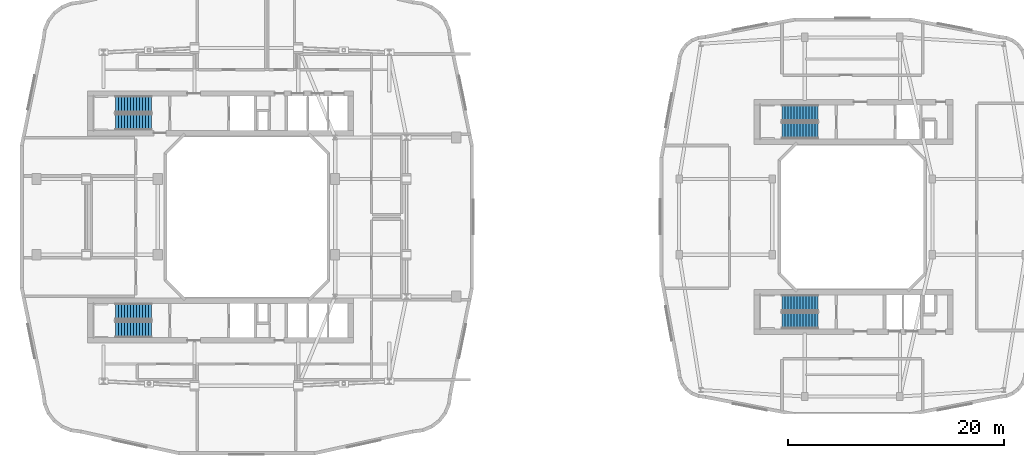
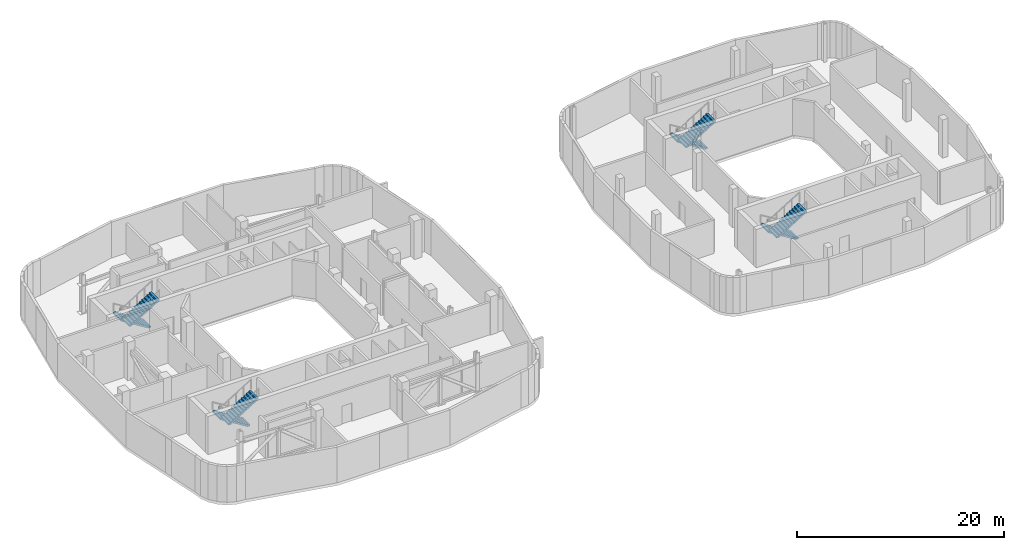
# One storey, part 12 of 18: 8 stair flights, 4 elements without a shape of their own.
"""IFC4 building model written with IfcOpenShell, lengths in metres."""

from ifc_helpers import new_model, si_unit, derived_unit, direction, frame, origin, place, context, subcontext, project, spatial, polyline, outline, extrude, material, type_object, element, aggregate, save


model = new_model("IFC4")

# Units and contexts
model_context = context("Model", 3, precision=1e-05, world=origin(), true_north=direction((0.0, 1.0)))
body_context = subcontext(model_context, "Body", "Model", "MODEL_VIEW")
ifc_project = project(units=[si_unit("LENGTHUNIT", "METRE"), si_unit("AREAUNIT", "SQUARE_METRE"), si_unit("VOLUMEUNIT", "CUBIC_METRE"), si_unit("PLANEANGLEUNIT", "RADIAN"), si_unit("MASSUNIT", "GRAM", prefix="KILO"), derived_unit("THERMALTRANSMITTANCEUNIT", [(si_unit("POWERUNIT", "WATT"), 1), (si_unit("LENGTHUNIT", "METRE"), -2), (si_unit("THERMODYNAMICTEMPERATUREUNIT", "KELVIN"), -1)])], contexts=[model_context])

# Site, building, storey
site_placement = place(None, origin())
site = spatial("IfcSite", under=ifc_project, at=site_placement, CompositionType="ELEMENT")
building_placement = place(site_placement, origin())
building = spatial("IfcBuilding", under=site, at=building_placement, Name="Kivonza Crest Hotel", CompositionType="ELEMENT")
storey_placement = place(building_placement, frame((0.0, 0.0, 90.5)))
storey = spatial("IfcBuildingStorey", under=building, at=storey_placement, Name="L24", CompositionType="ELEMENT", Elevation=90.5)

# Stair, stair flights
ifc_material = material(Name="Concrete C40/50", Category="concrete")
stair_type = type_object("IfcStairType", Name="ST-DL-26R", PredefinedType="HALF_TURN_STAIR", material=ifc_material)
stair_1_placement = place(storey_placement, origin())
stair_1 = element("IfcStair", 1, at=stair_1_placement, inside=storey, type_object=stair_type, Name="L24 Protected Exit Stair ST-T1-N", PredefinedType="HALF_TURN_STAIR")
stair_flight_type = type_object("IfcStairFlightType", Name="SFL-RC-13R", PredefinedType="STRAIGHT", material=ifc_material)
stair_flight_1_placement = place(storey_placement, frame((12.239990234375, 35.409912109375, 0.0), z_axis=(0.0, 0.0, 1.0), x_axis=(-1.0, 0.0, 0.0)))
stair_flight_1 = element("IfcStairFlight", 2, at=stair_flight_1_placement, type_object=stair_flight_type, Name="ST-T1-N flight 1", NumberOfRisers=13, NumberOfTreads=12, PredefinedType="STRAIGHT", RiserHeight=0.173076923, TreadLength=0.28, context=body_context, shape_type="SweptSolid", body=[
    extrude(outline(polyline([(0.0, 0.0), (0.0, 0.173095703125), (0.280029296875, 0.173095703125), (0.280029296875, 0.34619140625), (0.56005859375, 0.34619140625), (0.56005859375, 0.519287109375), (0.840087890625, 0.519287109375), (0.840087890625, 0.6923828125), (1.1201171875, 0.6923828125), (1.1201171875, 0.865478515625), (1.39990234375, 0.865478515625), (1.39990234375, 1.03857421875), (1.679931640625, 1.03857421875), (1.679931640625, 1.21142578125), (1.9599609375, 1.21142578125), (1.9599609375, 1.384521484375), (2.239990234375, 1.384521484375), (2.239990234375, 1.5576171875), (2.52001953125, 1.5576171875), (2.52001953125, 1.730712890625), (2.800048828125, 1.730712890625), (2.800048828125, 1.90380859375), (3.080078125, 1.90380859375), (3.080078125, 2.076904296875), (3.360107421875, 2.076904296875), (3.360107421875, 2.25), (3.360107421875, 1.900634765625), (0.28515625, 0.0), (0.0, 0.0)])), frame((0.0, 0.75, 0.0), z_axis=(0.0, -1.0, 0.0), x_axis=(1.0, 0.0, 0.0)), (0.0, 0.0, 1.0), 1.5),
])
stair_flight_2_placement = place(storey_placement, frame((8.8798828125, 33.77001953125, 2.25), z_axis=(0.0, 0.0, 1.0), x_axis=(1.0, 0.0, 0.0)))
stair_flight_2 = element("IfcStairFlight", 3, at=stair_flight_2_placement, type_object=stair_flight_type, Name="ST-T1-N flight 2", NumberOfRisers=13, NumberOfTreads=12, PredefinedType="STRAIGHT", RiserHeight=0.173076923, TreadLength=0.28, context=body_context, shape_type="SweptSolid", body=[
    extrude(outline(polyline([(0.0, 0.0), (0.0, 0.173095703125), (0.280029296875, 0.173095703125), (0.280029296875, 0.34619140625), (0.56005859375, 0.34619140625), (0.56005859375, 0.519287109375), (0.840087890625, 0.519287109375), (0.840087890625, 0.6923828125), (1.1201171875, 0.6923828125), (1.1201171875, 0.865478515625), (1.39990234375, 0.865478515625), (1.39990234375, 1.03857421875), (1.679931640625, 1.03857421875), (1.679931640625, 1.21142578125), (1.9599609375, 1.21142578125), (1.9599609375, 1.384521484375), (2.239990234375, 1.384521484375), (2.239990234375, 1.5576171875), (2.52001953125, 1.5576171875), (2.52001953125, 1.730712890625), (2.800048828125, 1.730712890625), (2.800048828125, 1.90380859375), (3.080078125, 1.90380859375), (3.080078125, 2.076904296875), (3.360107421875, 2.076904296875), (3.360107421875, 2.25), (3.360107421875, 1.900634765625), (0.28515625, 0.0), (0.0, 0.0)])), frame((0.0, 0.75, 0.0), z_axis=(0.0, -1.0, 0.0), x_axis=(1.0, 0.0, 0.0)), (0.0, 0.0, 1.0), 1.5),
])
aggregate(stair_1, [stair_flight_1, stair_flight_2])

stair_2_placement = place(storey_placement, origin())
stair_2 = element("IfcStair", 4, at=stair_2_placement, inside=storey, type_object=stair_type, Name="L24 Protected Exit Stair ST-T1-S", PredefinedType="HALF_TURN_STAIR")
stair_flight_3_placement = place(storey_placement, frame((12.239990234375, 16.25, 0.0), z_axis=(0.0, 0.0, 1.0), x_axis=(-1.0, 0.0, 0.0)))
stair_flight_3 = element("IfcStairFlight", 5, at=stair_flight_3_placement, type_object=stair_flight_type, Name="ST-T1-S flight 1", NumberOfRisers=13, NumberOfTreads=12, PredefinedType="STRAIGHT", RiserHeight=0.173076923, TreadLength=0.28, context=body_context, shape_type="SweptSolid", body=[
    extrude(outline(polyline([(0.0, 0.0), (0.0, 0.173095703125), (0.280029296875, 0.173095703125), (0.280029296875, 0.34619140625), (0.56005859375, 0.34619140625), (0.56005859375, 0.519287109375), (0.840087890625, 0.519287109375), (0.840087890625, 0.6923828125), (1.1201171875, 0.6923828125), (1.1201171875, 0.865478515625), (1.39990234375, 0.865478515625), (1.39990234375, 1.03857421875), (1.679931640625, 1.03857421875), (1.679931640625, 1.21142578125), (1.9599609375, 1.21142578125), (1.9599609375, 1.384521484375), (2.239990234375, 1.384521484375), (2.239990234375, 1.5576171875), (2.52001953125, 1.5576171875), (2.52001953125, 1.730712890625), (2.800048828125, 1.730712890625), (2.800048828125, 1.90380859375), (3.080078125, 1.90380859375), (3.080078125, 2.076904296875), (3.360107421875, 2.076904296875), (3.360107421875, 2.25), (3.360107421875, 1.900634765625), (0.28515625, 0.0), (0.0, 0.0)])), frame((0.0, 0.75, 0.0), z_axis=(0.0, -1.0, 0.0), x_axis=(1.0, 0.0, 0.0)), (0.0, 0.0, 1.0), 1.5),
])
stair_flight_4_placement = place(storey_placement, frame((8.8798828125, 14.610107421875, 2.25), z_axis=(0.0, 0.0, 1.0), x_axis=(1.0, 0.0, 0.0)))
stair_flight_4 = element("IfcStairFlight", 6, at=stair_flight_4_placement, type_object=stair_flight_type, Name="ST-T1-S flight 2", NumberOfRisers=13, NumberOfTreads=12, PredefinedType="STRAIGHT", RiserHeight=0.173076923, TreadLength=0.28, context=body_context, shape_type="SweptSolid", body=[
    extrude(outline(polyline([(0.0, 0.0), (0.0, 0.173095703125), (0.280029296875, 0.173095703125), (0.280029296875, 0.34619140625), (0.56005859375, 0.34619140625), (0.56005859375, 0.519287109375), (0.840087890625, 0.519287109375), (0.840087890625, 0.6923828125), (1.1201171875, 0.6923828125), (1.1201171875, 0.865478515625), (1.39990234375, 0.865478515625), (1.39990234375, 1.03857421875), (1.679931640625, 1.03857421875), (1.679931640625, 1.21142578125), (1.9599609375, 1.21142578125), (1.9599609375, 1.384521484375), (2.239990234375, 1.384521484375), (2.239990234375, 1.5576171875), (2.52001953125, 1.5576171875), (2.52001953125, 1.730712890625), (2.800048828125, 1.730712890625), (2.800048828125, 1.90380859375), (3.080078125, 1.90380859375), (3.080078125, 2.076904296875), (3.360107421875, 2.076904296875), (3.360107421875, 2.25), (3.360107421875, 1.900634765625), (0.28515625, 0.0), (0.0, 0.0)])), frame((0.0, 0.75, 0.0), z_axis=(0.0, -1.0, 0.0), x_axis=(1.0, 0.0, 0.0)), (0.0, 0.0, 1.0), 1.5),
])
aggregate(stair_2, [stair_flight_3, stair_flight_4])

stair_3_placement = place(storey_placement, origin())
stair_3 = element("IfcStair", 7, at=stair_3_placement, inside=storey, type_object=stair_type, Name="L24 Protected Exit Stair ST-T2-N", PredefinedType="HALF_TURN_STAIR")
stair_flight_5_placement = place(storey_placement, frame((73.840087890625, 34.610107421875, 0.0), z_axis=(0.0, 0.0, 1.0), x_axis=(-1.0, 0.0, 0.0)))
stair_flight_5 = element("IfcStairFlight", 8, at=stair_flight_5_placement, type_object=stair_flight_type, Name="ST-T2-N flight 1", NumberOfRisers=13, NumberOfTreads=12, PredefinedType="STRAIGHT", RiserHeight=0.173076923, TreadLength=0.28, context=body_context, shape_type="SweptSolid", body=[
    extrude(outline(polyline([(0.0, 0.0), (0.0, 0.173095703125), (0.280029296875, 0.173095703125), (0.280029296875, 0.34619140625), (0.56005859375, 0.34619140625), (0.56005859375, 0.519287109375), (0.840087890625, 0.519287109375), (0.840087890625, 0.6923828125), (1.1201171875, 0.6923828125), (1.1201171875, 0.865478515625), (1.39990234375, 0.865478515625), (1.39990234375, 1.03857421875), (1.679931640625, 1.03857421875), (1.679931640625, 1.21142578125), (1.9599609375, 1.21142578125), (1.9599609375, 1.384521484375), (2.239990234375, 1.384521484375), (2.239990234375, 1.5576171875), (2.52001953125, 1.5576171875), (2.52001953125, 1.730712890625), (2.800048828125, 1.730712890625), (2.800048828125, 1.90380859375), (3.080078125, 1.90380859375), (3.080078125, 2.076904296875), (3.360107421875, 2.076904296875), (3.360107421875, 2.25), (3.360107421875, 1.900634765625), (0.28515625, 0.0), (0.0, 0.0)])), frame((0.0, 0.75, 0.0), z_axis=(0.0, -1.0, 0.0), x_axis=(1.0, 0.0, 0.0)), (0.0, 0.0, 1.0), 1.5),
])
stair_flight_6_placement = place(storey_placement, frame((70.47998046875, 32.969970703125, 2.25), z_axis=(0.0, 0.0, 1.0), x_axis=(1.0, 0.0, 0.0)))
stair_flight_6 = element("IfcStairFlight", 9, at=stair_flight_6_placement, type_object=stair_flight_type, Name="ST-T2-N flight 2", NumberOfRisers=13, NumberOfTreads=12, PredefinedType="STRAIGHT", RiserHeight=0.173076923, TreadLength=0.28, context=body_context, shape_type="SweptSolid", body=[
    extrude(outline(polyline([(0.0, 0.0), (0.0, 0.173095703125), (0.280029296875, 0.173095703125), (0.280029296875, 0.34619140625), (0.56005859375, 0.34619140625), (0.56005859375, 0.519287109375), (0.840087890625, 0.519287109375), (0.840087890625, 0.6923828125), (1.1201171875, 0.6923828125), (1.1201171875, 0.865478515625), (1.39990234375, 0.865478515625), (1.39990234375, 1.03857421875), (1.679931640625, 1.03857421875), (1.679931640625, 1.21142578125), (1.9599609375, 1.21142578125), (1.9599609375, 1.384521484375), (2.239990234375, 1.384521484375), (2.239990234375, 1.5576171875), (2.52001953125, 1.5576171875), (2.52001953125, 1.730712890625), (2.800048828125, 1.730712890625), (2.800048828125, 1.90380859375), (3.080078125, 1.90380859375), (3.080078125, 2.076904296875), (3.360107421875, 2.076904296875), (3.360107421875, 2.25), (3.360107421875, 1.900634765625), (0.28515625, 0.0), (0.0, 0.0)])), frame((0.0, 0.75, 0.0), z_axis=(0.0, -1.0, 0.0), x_axis=(1.0, 0.0, 0.0)), (0.0, 0.0, 1.0), 1.5),
])
aggregate(stair_3, [stair_flight_5, stair_flight_6])

stair_4_placement = place(storey_placement, origin())
stair_4 = element("IfcStair", 10, at=stair_4_placement, inside=storey, type_object=stair_type, Name="L24 Protected Exit Stair ST-T2-S", PredefinedType="HALF_TURN_STAIR")
stair_flight_7_placement = place(storey_placement, frame((73.840087890625, 17.050048828125, 0.0), z_axis=(0.0, 0.0, 1.0), x_axis=(-1.0, 0.0, 0.0)))
stair_flight_7 = element("IfcStairFlight", 11, at=stair_flight_7_placement, type_object=stair_flight_type, Name="ST-T2-S flight 1", NumberOfRisers=13, NumberOfTreads=12, PredefinedType="STRAIGHT", RiserHeight=0.173076923, TreadLength=0.28, context=body_context, shape_type="SweptSolid", body=[
    extrude(outline(polyline([(0.0, 0.0), (0.0, 0.173095703125), (0.280029296875, 0.173095703125), (0.280029296875, 0.34619140625), (0.56005859375, 0.34619140625), (0.56005859375, 0.519287109375), (0.840087890625, 0.519287109375), (0.840087890625, 0.6923828125), (1.1201171875, 0.6923828125), (1.1201171875, 0.865478515625), (1.39990234375, 0.865478515625), (1.39990234375, 1.03857421875), (1.679931640625, 1.03857421875), (1.679931640625, 1.21142578125), (1.9599609375, 1.21142578125), (1.9599609375, 1.384521484375), (2.239990234375, 1.384521484375), (2.239990234375, 1.5576171875), (2.52001953125, 1.5576171875), (2.52001953125, 1.730712890625), (2.800048828125, 1.730712890625), (2.800048828125, 1.90380859375), (3.080078125, 1.90380859375), (3.080078125, 2.076904296875), (3.360107421875, 2.076904296875), (3.360107421875, 2.25), (3.360107421875, 1.900634765625), (0.28515625, 0.0), (0.0, 0.0)])), frame((0.0, 0.75, 0.0), z_axis=(0.0, -1.0, 0.0), x_axis=(1.0, 0.0, 0.0)), (0.0, 0.0, 1.0), 1.5),
])
stair_flight_8_placement = place(storey_placement, frame((70.47998046875, 15.409912109375, 2.25), z_axis=(0.0, 0.0, 1.0), x_axis=(1.0, 0.0, 0.0)))
stair_flight_8 = element("IfcStairFlight", 12, at=stair_flight_8_placement, type_object=stair_flight_type, Name="ST-T2-S flight 2", NumberOfRisers=13, NumberOfTreads=12, PredefinedType="STRAIGHT", RiserHeight=0.173076923, TreadLength=0.28, context=body_context, shape_type="SweptSolid", body=[
    extrude(outline(polyline([(0.0, 0.0), (0.0, 0.173095703125), (0.280029296875, 0.173095703125), (0.280029296875, 0.34619140625), (0.56005859375, 0.34619140625), (0.56005859375, 0.519287109375), (0.840087890625, 0.519287109375), (0.840087890625, 0.6923828125), (1.1201171875, 0.6923828125), (1.1201171875, 0.865478515625), (1.39990234375, 0.865478515625), (1.39990234375, 1.03857421875), (1.679931640625, 1.03857421875), (1.679931640625, 1.21142578125), (1.9599609375, 1.21142578125), (1.9599609375, 1.384521484375), (2.239990234375, 1.384521484375), (2.239990234375, 1.5576171875), (2.52001953125, 1.5576171875), (2.52001953125, 1.730712890625), (2.800048828125, 1.730712890625), (2.800048828125, 1.90380859375), (3.080078125, 1.90380859375), (3.080078125, 2.076904296875), (3.360107421875, 2.076904296875), (3.360107421875, 2.25), (3.360107421875, 1.900634765625), (0.28515625, 0.0), (0.0, 0.0)])), frame((0.0, 0.75, 0.0), z_axis=(0.0, -1.0, 0.0), x_axis=(1.0, 0.0, 0.0)), (0.0, 0.0, 1.0), 1.5),
])
aggregate(stair_4, [stair_flight_7, stair_flight_8])

save(model, "model.ifc")
